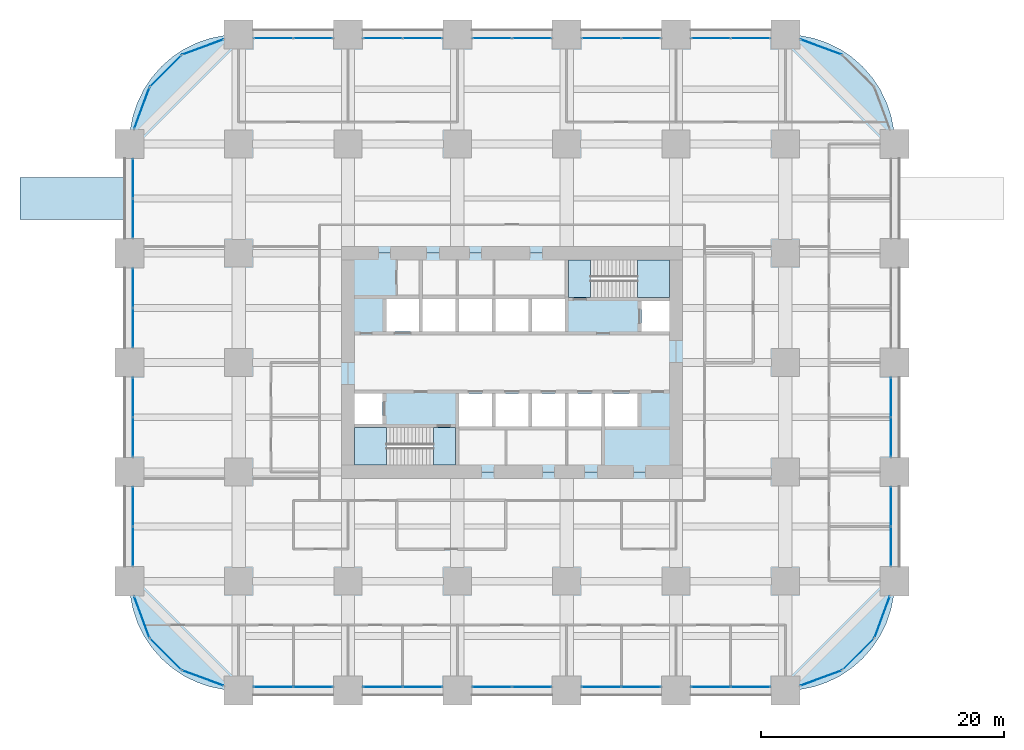
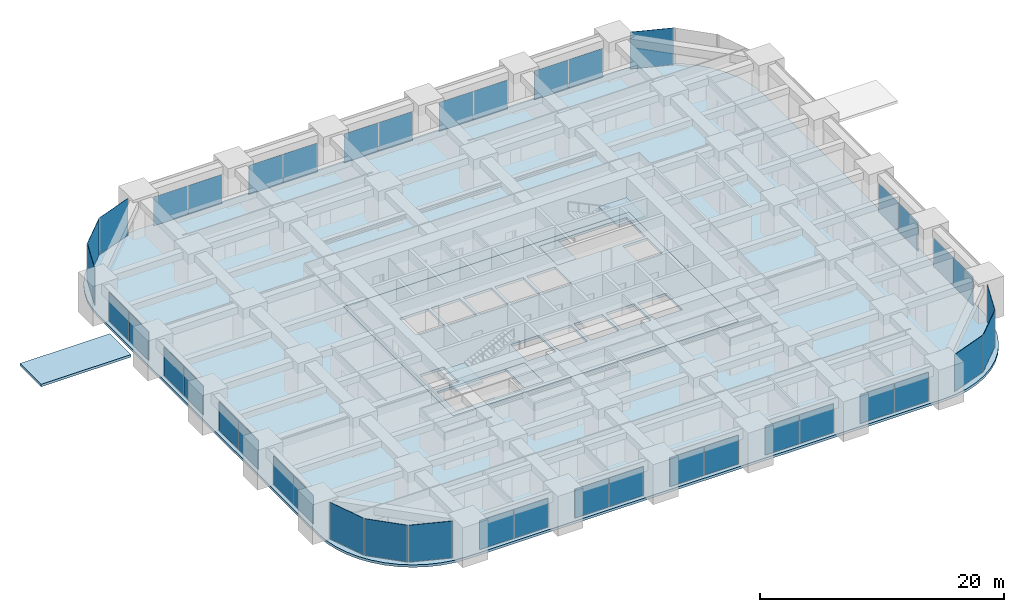
# One storey, part 32 of 39: 42 plates, 7 slabs, 28 elements without a shape of their own.
"""IFC4 building model written with IfcOpenShell, lengths in metres."""

from ifc_helpers import new_model, si_unit, direction, frame, origin, origin_2d, place, context, subcontext, project, spatial, polyline, rectangle, outline, extrude, material, layer, layer_set, type_object, element, aggregate, save


model = new_model("IFC4")

# Units and contexts
model_context = context("Model", 3, precision=1e-05, world=origin(), true_north=direction((0.0, 1.0)))
body_context = subcontext(model_context, "Body", "Model", "MODEL_VIEW")
ifc_project = project(units=[si_unit("LENGTHUNIT", "METRE"), si_unit("AREAUNIT", "SQUARE_METRE"), si_unit("VOLUMEUNIT", "CUBIC_METRE"), si_unit("PLANEANGLEUNIT", "RADIAN"), si_unit("MASSUNIT", "GRAM", prefix="KILO")], contexts=[model_context])

# Site, building, storey
site_placement = place(None, origin())
site = spatial("IfcSite", under=ifc_project, at=site_placement, CompositionType="ELEMENT")
building_placement = place(site_placement, origin())
building = spatial("IfcBuilding", under=site, at=building_placement, Name="Zorevar Civic Tower", CompositionType="ELEMENT")
storey_placement = place(building_placement, frame((0.0, 0.0, 19.800048828125)))
storey = spatial("IfcBuildingStorey", under=building, at=storey_placement, Name="L04", CompositionType="ELEMENT", Elevation=19.800048828125)

# Curtain wall, plates
ifc_material_1 = material(Name="Dark grey solar-control glass in black aluminium frame", Category="aluminium")
curtain_wall_type = type_object("IfcCurtainWallType", Name="Curtain wall CW2 low zone", PredefinedType="NOTDEFINED", material=ifc_material_1)
curtain_wall_1_placement = place(storey_placement, origin())
curtain_wall_1 = element("IfcCurtainWall", 1, at=curtain_wall_1_placement, inside=storey, type_object=curtain_wall_type, Name="CW2 L04", PredefinedType="NOTDEFINED")
ifc_material_2 = material(Name="Dark grey solar-control glass", Category="glass")
ifc_layer_1 = layer(ifc_material_2, 0.031982421875)
ifc_layer_set_1 = layer_set([ifc_layer_1], Name="CW2 panel 32")
plate_type = type_object("IfcPlateType", Name="CW2 panel 32", PredefinedType="CURTAIN_PANEL", material=ifc_layer_set_1)
plate_1_placement = place(storey_placement, frame((11.864990234375, 0.300048828125, 0.06005859375), z_axis=(0.0, 0.0, 1.0), x_axis=(1.0, 0.0, 0.0)))
plate_1 = element("IfcPlate", 2, at=plate_1_placement, type_object=plate_type, Name="CW2 panel 1.1", PredefinedType="CURTAIN_PANEL", context=body_context, shape_type="SweptSolid", body=[
    extrude(rectangle(XDim=3.2099609375, YDim=0.031982421875, at=origin_2d()), origin(), (0.0, 0.0, 1.0), 2.889892578125),
])
plate_2_placement = place(storey_placement, frame((15.135009765625, 0.300048828125, 0.06005859375), z_axis=(0.0, 0.0, 1.0), x_axis=(1.0, 0.0, 0.0)))
plate_2 = element("IfcPlate", 3, at=plate_2_placement, type_object=plate_type, Name="CW2 panel 2.1", PredefinedType="CURTAIN_PANEL", context=body_context, shape_type="SweptSolid", body=[
    extrude(rectangle(XDim=3.2099609375, YDim=0.031982421875, at=origin_2d()), origin(), (0.0, 0.0, 1.0), 2.889892578125),
])
aggregate(curtain_wall_1, [plate_1, plate_2])

curtain_wall_2_placement = place(storey_placement, origin())
curtain_wall_2 = element("IfcCurtainWall", 4, at=curtain_wall_2_placement, inside=storey, type_object=curtain_wall_type, Name="CW2 L04", PredefinedType="NOTDEFINED")
plate_3_placement = place(storey_placement, frame((11.864990234375, 53.699951171875, 0.06005859375), z_axis=(0.0, 0.0, 1.0), x_axis=(1.0, 0.0, 0.0)))
plate_3 = element("IfcPlate", 5, at=plate_3_placement, type_object=plate_type, Name="CW2 panel 1.1", PredefinedType="CURTAIN_PANEL", context=body_context, shape_type="SweptSolid", body=[
    extrude(rectangle(XDim=3.2099609375, YDim=0.031982421875, at=origin_2d()), origin(), (0.0, 0.0, 1.0), 2.889892578125),
])
plate_4_placement = place(storey_placement, frame((15.135009765625, 53.699951171875, 0.06005859375), z_axis=(0.0, 0.0, 1.0), x_axis=(1.0, 0.0, 0.0)))
plate_4 = element("IfcPlate", 6, at=plate_4_placement, type_object=plate_type, Name="CW2 panel 2.1", PredefinedType="CURTAIN_PANEL", context=body_context, shape_type="SweptSolid", body=[
    extrude(rectangle(XDim=3.2099609375, YDim=0.031982421875, at=origin_2d()), origin(), (0.0, 0.0, 1.0), 2.889892578125),
])
aggregate(curtain_wall_2, [plate_3, plate_4])

curtain_wall_3_placement = place(storey_placement, origin())
curtain_wall_3 = element("IfcCurtainWall", 7, at=curtain_wall_3_placement, inside=storey, type_object=curtain_wall_type, Name="CW2 L04", PredefinedType="NOTDEFINED")
plate_5_placement = place(storey_placement, frame((20.864990234375, 0.300048828125, 0.06005859375), z_axis=(0.0, 0.0, 1.0), x_axis=(1.0, 0.0, 0.0)))
plate_5 = element("IfcPlate", 8, at=plate_5_placement, type_object=plate_type, Name="CW2 panel 1.1", PredefinedType="CURTAIN_PANEL", context=body_context, shape_type="SweptSolid", body=[
    extrude(rectangle(XDim=3.2099609375, YDim=0.031982421875, at=origin_2d()), origin(), (0.0, 0.0, 1.0), 2.889892578125),
])
plate_6_placement = place(storey_placement, frame((24.135009765625, 0.300048828125, 0.06005859375), z_axis=(0.0, 0.0, 1.0), x_axis=(1.0, 0.0, 0.0)))
plate_6 = element("IfcPlate", 9, at=plate_6_placement, type_object=plate_type, Name="CW2 panel 2.1", PredefinedType="CURTAIN_PANEL", context=body_context, shape_type="SweptSolid", body=[
    extrude(rectangle(XDim=3.2099609375, YDim=0.031982421875, at=origin_2d()), origin(), (0.0, 0.0, 1.0), 2.889892578125),
])
aggregate(curtain_wall_3, [plate_5, plate_6])

curtain_wall_4_placement = place(storey_placement, origin())
curtain_wall_4 = element("IfcCurtainWall", 10, at=curtain_wall_4_placement, inside=storey, type_object=curtain_wall_type, Name="CW2 L04", PredefinedType="NOTDEFINED")
plate_7_placement = place(storey_placement, frame((20.864990234375, 53.699951171875, 0.06005859375), z_axis=(0.0, 0.0, 1.0), x_axis=(1.0, 0.0, 0.0)))
plate_7 = element("IfcPlate", 11, at=plate_7_placement, type_object=plate_type, Name="CW2 panel 1.1", PredefinedType="CURTAIN_PANEL", context=body_context, shape_type="SweptSolid", body=[
    extrude(rectangle(XDim=3.2099609375, YDim=0.031982421875, at=origin_2d()), origin(), (0.0, 0.0, 1.0), 2.889892578125),
])
plate_8_placement = place(storey_placement, frame((24.135009765625, 53.699951171875, 0.06005859375), z_axis=(0.0, 0.0, 1.0), x_axis=(1.0, 0.0, 0.0)))
plate_8 = element("IfcPlate", 12, at=plate_8_placement, type_object=plate_type, Name="CW2 panel 2.1", PredefinedType="CURTAIN_PANEL", context=body_context, shape_type="SweptSolid", body=[
    extrude(rectangle(XDim=3.2099609375, YDim=0.031982421875, at=origin_2d()), origin(), (0.0, 0.0, 1.0), 2.889892578125),
])
aggregate(curtain_wall_4, [plate_7, plate_8])

curtain_wall_5_placement = place(storey_placement, origin())
curtain_wall_5 = element("IfcCurtainWall", 13, at=curtain_wall_5_placement, inside=storey, type_object=curtain_wall_type, Name="CW2 L04", PredefinedType="NOTDEFINED")
plate_9_placement = place(storey_placement, frame((29.864990234375, 0.300048828125, 0.06005859375), z_axis=(0.0, 0.0, 1.0), x_axis=(1.0, 0.0, 0.0)))
plate_9 = element("IfcPlate", 14, at=plate_9_placement, type_object=plate_type, Name="CW2 panel 1.1", PredefinedType="CURTAIN_PANEL", context=body_context, shape_type="SweptSolid", body=[
    extrude(rectangle(XDim=3.2099609375, YDim=0.031982421875, at=origin_2d()), origin(), (0.0, 0.0, 1.0), 2.889892578125),
])
plate_10_placement = place(storey_placement, frame((33.135009765625, 0.300048828125, 0.06005859375), z_axis=(0.0, 0.0, 1.0), x_axis=(1.0, 0.0, 0.0)))
plate_10 = element("IfcPlate", 15, at=plate_10_placement, type_object=plate_type, Name="CW2 panel 2.1", PredefinedType="CURTAIN_PANEL", context=body_context, shape_type="SweptSolid", body=[
    extrude(rectangle(XDim=3.2099609375, YDim=0.031982421875, at=origin_2d()), origin(), (0.0, 0.0, 1.0), 2.889892578125),
])
aggregate(curtain_wall_5, [plate_9, plate_10])

curtain_wall_6_placement = place(storey_placement, origin())
curtain_wall_6 = element("IfcCurtainWall", 16, at=curtain_wall_6_placement, inside=storey, type_object=curtain_wall_type, Name="CW2 L04", PredefinedType="NOTDEFINED")
plate_11_placement = place(storey_placement, frame((29.864990234375, 53.699951171875, 0.06005859375), z_axis=(0.0, 0.0, 1.0), x_axis=(1.0, 0.0, 0.0)))
plate_11 = element("IfcPlate", 17, at=plate_11_placement, type_object=plate_type, Name="CW2 panel 1.1", PredefinedType="CURTAIN_PANEL", context=body_context, shape_type="SweptSolid", body=[
    extrude(rectangle(XDim=3.2099609375, YDim=0.031982421875, at=origin_2d()), origin(), (0.0, 0.0, 1.0), 2.889892578125),
])
plate_12_placement = place(storey_placement, frame((33.135009765625, 53.699951171875, 0.06005859375), z_axis=(0.0, 0.0, 1.0), x_axis=(1.0, 0.0, 0.0)))
plate_12 = element("IfcPlate", 18, at=plate_12_placement, type_object=plate_type, Name="CW2 panel 2.1", PredefinedType="CURTAIN_PANEL", context=body_context, shape_type="SweptSolid", body=[
    extrude(rectangle(XDim=3.2099609375, YDim=0.031982421875, at=origin_2d()), origin(), (0.0, 0.0, 1.0), 2.889892578125),
])
aggregate(curtain_wall_6, [plate_11, plate_12])

curtain_wall_7_placement = place(storey_placement, origin())
curtain_wall_7 = element("IfcCurtainWall", 19, at=curtain_wall_7_placement, inside=storey, type_object=curtain_wall_type, Name="CW2 L04", PredefinedType="NOTDEFINED")
plate_13_placement = place(storey_placement, frame((38.864990234375, 0.300048828125, 0.06005859375), z_axis=(0.0, 0.0, 1.0), x_axis=(1.0, 0.0, 0.0)))
plate_13 = element("IfcPlate", 20, at=plate_13_placement, type_object=plate_type, Name="CW2 panel 1.1", PredefinedType="CURTAIN_PANEL", context=body_context, shape_type="SweptSolid", body=[
    extrude(rectangle(XDim=3.2099609375, YDim=0.031982421875, at=origin_2d()), origin(), (0.0, 0.0, 1.0), 2.889892578125),
])
plate_14_placement = place(storey_placement, frame((42.135009765625, 0.300048828125, 0.06005859375), z_axis=(0.0, 0.0, 1.0), x_axis=(1.0, 0.0, 0.0)))
plate_14 = element("IfcPlate", 21, at=plate_14_placement, type_object=plate_type, Name="CW2 panel 2.1", PredefinedType="CURTAIN_PANEL", context=body_context, shape_type="SweptSolid", body=[
    extrude(rectangle(XDim=3.2099609375, YDim=0.031982421875, at=origin_2d()), origin(), (0.0, 0.0, 1.0), 2.889892578125),
])
aggregate(curtain_wall_7, [plate_13, plate_14])

curtain_wall_8_placement = place(storey_placement, origin())
curtain_wall_8 = element("IfcCurtainWall", 22, at=curtain_wall_8_placement, inside=storey, type_object=curtain_wall_type, Name="CW2 L04", PredefinedType="NOTDEFINED")
plate_15_placement = place(storey_placement, frame((38.864990234375, 53.699951171875, 0.06005859375), z_axis=(0.0, 0.0, 1.0), x_axis=(1.0, 0.0, 0.0)))
plate_15 = element("IfcPlate", 23, at=plate_15_placement, type_object=plate_type, Name="CW2 panel 1.1", PredefinedType="CURTAIN_PANEL", context=body_context, shape_type="SweptSolid", body=[
    extrude(rectangle(XDim=3.2099609375, YDim=0.031982421875, at=origin_2d()), origin(), (0.0, 0.0, 1.0), 2.889892578125),
])
plate_16_placement = place(storey_placement, frame((42.135009765625, 53.699951171875, 0.06005859375), z_axis=(0.0, 0.0, 1.0), x_axis=(1.0, 0.0, 0.0)))
plate_16 = element("IfcPlate", 24, at=plate_16_placement, type_object=plate_type, Name="CW2 panel 2.1", PredefinedType="CURTAIN_PANEL", context=body_context, shape_type="SweptSolid", body=[
    extrude(rectangle(XDim=3.2099609375, YDim=0.031982421875, at=origin_2d()), origin(), (0.0, 0.0, 1.0), 2.889892578125),
])
aggregate(curtain_wall_8, [plate_15, plate_16])

curtain_wall_9_placement = place(storey_placement, origin())
curtain_wall_9 = element("IfcCurtainWall", 25, at=curtain_wall_9_placement, inside=storey, type_object=curtain_wall_type, Name="CW2 L04", PredefinedType="NOTDEFINED")
plate_17_placement = place(storey_placement, frame((47.864990234375, 0.300048828125, 0.06005859375), z_axis=(0.0, 0.0, 1.0), x_axis=(1.0, 0.0, 0.0)))
plate_17 = element("IfcPlate", 26, at=plate_17_placement, type_object=plate_type, Name="CW2 panel 1.1", PredefinedType="CURTAIN_PANEL", context=body_context, shape_type="SweptSolid", body=[
    extrude(rectangle(XDim=3.2099609375, YDim=0.031982421875, at=origin_2d()), origin(), (0.0, 0.0, 1.0), 2.889892578125),
])
plate_18_placement = place(storey_placement, frame((51.135009765625, 0.300048828125, 0.06005859375), z_axis=(0.0, 0.0, 1.0), x_axis=(1.0, 0.0, 0.0)))
plate_18 = element("IfcPlate", 27, at=plate_18_placement, type_object=plate_type, Name="CW2 panel 2.1", PredefinedType="CURTAIN_PANEL", context=body_context, shape_type="SweptSolid", body=[
    extrude(rectangle(XDim=3.2099609375, YDim=0.031982421875, at=origin_2d()), origin(), (0.0, 0.0, 1.0), 2.889892578125),
])
aggregate(curtain_wall_9, [plate_17, plate_18])

curtain_wall_10_placement = place(storey_placement, origin())
curtain_wall_10 = element("IfcCurtainWall", 28, at=curtain_wall_10_placement, inside=storey, type_object=curtain_wall_type, Name="CW2 L04", PredefinedType="NOTDEFINED")
plate_19_placement = place(storey_placement, frame((47.864990234375, 53.699951171875, 0.06005859375), z_axis=(0.0, 0.0, 1.0), x_axis=(1.0, 0.0, 0.0)))
plate_19 = element("IfcPlate", 29, at=plate_19_placement, type_object=plate_type, Name="CW2 panel 1.1", PredefinedType="CURTAIN_PANEL", context=body_context, shape_type="SweptSolid", body=[
    extrude(rectangle(XDim=3.2099609375, YDim=0.031982421875, at=origin_2d()), origin(), (0.0, 0.0, 1.0), 2.889892578125),
])
plate_20_placement = place(storey_placement, frame((51.135009765625, 53.699951171875, 0.06005859375), z_axis=(0.0, 0.0, 1.0), x_axis=(1.0, 0.0, 0.0)))
plate_20 = element("IfcPlate", 30, at=plate_20_placement, type_object=plate_type, Name="CW2 panel 2.1", PredefinedType="CURTAIN_PANEL", context=body_context, shape_type="SweptSolid", body=[
    extrude(rectangle(XDim=3.2099609375, YDim=0.031982421875, at=origin_2d()), origin(), (0.0, 0.0, 1.0), 2.889892578125),
])
aggregate(curtain_wall_10, [plate_19, plate_20])

curtain_wall_11_placement = place(storey_placement, origin())
curtain_wall_11 = element("IfcCurtainWall", 31, at=curtain_wall_11_placement, inside=storey, type_object=curtain_wall_type, Name="CW2 L04", PredefinedType="NOTDEFINED")
plate_21_placement = place(storey_placement, frame((0.300048828125, 11.864990234375, 0.06005859375), z_axis=(0.0, 0.0, 1.0), x_axis=(0.0, 1.0, 0.0)))
plate_21 = element("IfcPlate", 32, at=plate_21_placement, type_object=plate_type, Name="CW2 panel 1.1", PredefinedType="CURTAIN_PANEL", context=body_context, shape_type="SweptSolid", body=[
    extrude(rectangle(XDim=3.2099609375, YDim=0.031982421875, at=origin_2d()), origin(), (0.0, 0.0, 1.0), 2.889892578125),
])
plate_22_placement = place(storey_placement, frame((0.300048828125, 15.135009765625, 0.06005859375), z_axis=(0.0, 0.0, 1.0), x_axis=(0.0, 1.0, 0.0)))
plate_22 = element("IfcPlate", 33, at=plate_22_placement, type_object=plate_type, Name="CW2 panel 2.1", PredefinedType="CURTAIN_PANEL", context=body_context, shape_type="SweptSolid", body=[
    extrude(rectangle(XDim=3.2099609375, YDim=0.031982421875, at=origin_2d()), origin(), (0.0, 0.0, 1.0), 2.889892578125),
])
aggregate(curtain_wall_11, [plate_21, plate_22])

curtain_wall_12_placement = place(storey_placement, origin())
curtain_wall_12 = element("IfcCurtainWall", 34, at=curtain_wall_12_placement, inside=storey, type_object=curtain_wall_type, Name="CW2 L04", PredefinedType="NOTDEFINED")
plate_23_placement = place(storey_placement, frame((62.699951171875, 11.864990234375, 0.06005859375), z_axis=(0.0, 0.0, 1.0), x_axis=(0.0, 1.0, 0.0)))
plate_23 = element("IfcPlate", 35, at=plate_23_placement, type_object=plate_type, Name="CW2 panel 1.1", PredefinedType="CURTAIN_PANEL", context=body_context, shape_type="SweptSolid", body=[
    extrude(rectangle(XDim=3.2099609375, YDim=0.031982421875, at=origin_2d()), origin(), (0.0, 0.0, 1.0), 2.889892578125),
])
plate_24_placement = place(storey_placement, frame((62.699951171875, 15.135009765625, 0.06005859375), z_axis=(0.0, 0.0, 1.0), x_axis=(0.0, 1.0, 0.0)))
plate_24 = element("IfcPlate", 36, at=plate_24_placement, type_object=plate_type, Name="CW2 panel 2.1", PredefinedType="CURTAIN_PANEL", context=body_context, shape_type="SweptSolid", body=[
    extrude(rectangle(XDim=3.2099609375, YDim=0.031982421875, at=origin_2d()), origin(), (0.0, 0.0, 1.0), 2.889892578125),
])
aggregate(curtain_wall_12, [plate_23, plate_24])

curtain_wall_13_placement = place(storey_placement, origin())
curtain_wall_13 = element("IfcCurtainWall", 37, at=curtain_wall_13_placement, inside=storey, type_object=curtain_wall_type, Name="CW2 L04", PredefinedType="NOTDEFINED")
plate_25_placement = place(storey_placement, frame((0.300048828125, 20.864990234375, 0.06005859375), z_axis=(0.0, 0.0, 1.0), x_axis=(0.0, 1.0, 0.0)))
plate_25 = element("IfcPlate", 38, at=plate_25_placement, type_object=plate_type, Name="CW2 panel 1.1", PredefinedType="CURTAIN_PANEL", context=body_context, shape_type="SweptSolid", body=[
    extrude(rectangle(XDim=3.2099609375, YDim=0.031982421875, at=origin_2d()), origin(), (0.0, 0.0, 1.0), 2.889892578125),
])
plate_26_placement = place(storey_placement, frame((0.300048828125, 24.135009765625, 0.06005859375), z_axis=(0.0, 0.0, 1.0), x_axis=(0.0, 1.0, 0.0)))
plate_26 = element("IfcPlate", 39, at=plate_26_placement, type_object=plate_type, Name="CW2 panel 2.1", PredefinedType="CURTAIN_PANEL", context=body_context, shape_type="SweptSolid", body=[
    extrude(rectangle(XDim=3.2099609375, YDim=0.031982421875, at=origin_2d()), origin(), (0.0, 0.0, 1.0), 2.889892578125),
])
aggregate(curtain_wall_13, [plate_25, plate_26])

curtain_wall_14_placement = place(storey_placement, origin())
curtain_wall_14 = element("IfcCurtainWall", 40, at=curtain_wall_14_placement, inside=storey, type_object=curtain_wall_type, Name="CW2 L04", PredefinedType="NOTDEFINED")
plate_27_placement = place(storey_placement, frame((62.699951171875, 20.864990234375, 0.06005859375), z_axis=(0.0, 0.0, 1.0), x_axis=(0.0, 1.0, 0.0)))
plate_27 = element("IfcPlate", 41, at=plate_27_placement, type_object=plate_type, Name="CW2 panel 1.1", PredefinedType="CURTAIN_PANEL", context=body_context, shape_type="SweptSolid", body=[
    extrude(rectangle(XDim=3.2099609375, YDim=0.031982421875, at=origin_2d()), origin(), (0.0, 0.0, 1.0), 2.889892578125),
])
plate_28_placement = place(storey_placement, frame((62.699951171875, 24.135009765625, 0.06005859375), z_axis=(0.0, 0.0, 1.0), x_axis=(0.0, 1.0, 0.0)))
plate_28 = element("IfcPlate", 42, at=plate_28_placement, type_object=plate_type, Name="CW2 panel 2.1", PredefinedType="CURTAIN_PANEL", context=body_context, shape_type="SweptSolid", body=[
    extrude(rectangle(XDim=3.2099609375, YDim=0.031982421875, at=origin_2d()), origin(), (0.0, 0.0, 1.0), 2.889892578125),
])
aggregate(curtain_wall_14, [plate_27, plate_28])

curtain_wall_15_placement = place(storey_placement, origin())
curtain_wall_15 = element("IfcCurtainWall", 43, at=curtain_wall_15_placement, inside=storey, type_object=curtain_wall_type, Name="CW2 L04", PredefinedType="NOTDEFINED")
plate_29_placement = place(storey_placement, frame((0.300048828125, 29.864990234375, 0.06005859375), z_axis=(0.0, 0.0, 1.0), x_axis=(0.0, 1.0, 0.0)))
plate_29 = element("IfcPlate", 44, at=plate_29_placement, type_object=plate_type, Name="CW2 panel 1.1", PredefinedType="CURTAIN_PANEL", context=body_context, shape_type="SweptSolid", body=[
    extrude(rectangle(XDim=3.2099609375, YDim=0.031982421875, at=origin_2d()), origin(), (0.0, 0.0, 1.0), 2.889892578125),
])
plate_30_placement = place(storey_placement, frame((0.300048828125, 33.135009765625, 0.06005859375), z_axis=(0.0, 0.0, 1.0), x_axis=(0.0, 1.0, 0.0)))
plate_30 = element("IfcPlate", 45, at=plate_30_placement, type_object=plate_type, Name="CW2 panel 2.1", PredefinedType="CURTAIN_PANEL", context=body_context, shape_type="SweptSolid", body=[
    extrude(rectangle(XDim=3.2099609375, YDim=0.031982421875, at=origin_2d()), origin(), (0.0, 0.0, 1.0), 2.889892578125),
])
aggregate(curtain_wall_15, [plate_29, plate_30])

curtain_wall_16_placement = place(storey_placement, origin())
curtain_wall_16 = element("IfcCurtainWall", 46, at=curtain_wall_16_placement, inside=storey, type_object=curtain_wall_type, Name="CW2 L04", PredefinedType="NOTDEFINED")
plate_31_placement = place(storey_placement, frame((0.300048828125, 38.864990234375, 0.06005859375), z_axis=(0.0, 0.0, 1.0), x_axis=(0.0, 1.0, 0.0)))
plate_31 = element("IfcPlate", 47, at=plate_31_placement, type_object=plate_type, Name="CW2 panel 1.1", PredefinedType="CURTAIN_PANEL", context=body_context, shape_type="SweptSolid", body=[
    extrude(rectangle(XDim=3.2099609375, YDim=0.031982421875, at=origin_2d()), origin(), (0.0, 0.0, 1.0), 2.889892578125),
])
plate_32_placement = place(storey_placement, frame((0.300048828125, 42.135009765625, 0.06005859375), z_axis=(0.0, 0.0, 1.0), x_axis=(0.0, 1.0, 0.0)))
plate_32 = element("IfcPlate", 48, at=plate_32_placement, type_object=plate_type, Name="CW2 panel 2.1", PredefinedType="CURTAIN_PANEL", context=body_context, shape_type="SweptSolid", body=[
    extrude(rectangle(XDim=3.2099609375, YDim=0.031982421875, at=origin_2d()), origin(), (0.0, 0.0, 1.0), 2.889892578125),
])
aggregate(curtain_wall_16, [plate_31, plate_32])

# Curtain wall, plate
curtain_wall_17_placement = place(storey_placement, origin())
curtain_wall_17 = element("IfcCurtainWall", 49, at=curtain_wall_17_placement, inside=storey, type_object=curtain_wall_type, Name="CW2 L04", PredefinedType="NOTDEFINED")
plate_33_placement = place(storey_placement, frame((56.9462890625, 1.02880859375, 0.06005859375), z_axis=(0.0, 0.0, 1.0), x_axis=(0.937974588163, 0.346704012033, 0.0)))
plate_33 = element("IfcPlate", 50, at=plate_33_placement, type_object=plate_type, Name="CW2 panel 1.1", PredefinedType="CURTAIN_PANEL", context=body_context, shape_type="SweptSolid", body=[
    extrude(rectangle(XDim=3.603759765625, YDim=0.031982421875, at=origin_2d()), origin(), (0.0, 0.0, 1.0), 3.68994140625),
])
aggregate(curtain_wall_17, [plate_33])

curtain_wall_18_placement = place(storey_placement, origin())
curtain_wall_18 = element("IfcCurtainWall", 51, at=curtain_wall_18_placement, inside=storey, type_object=curtain_wall_type, Name="CW2 L04", PredefinedType="NOTDEFINED")
plate_34_placement = place(storey_placement, frame((60.00927734375, 2.99072265625, 0.06005859375), z_axis=(0.0, 0.0, 1.0), x_axis=(0.707106781187, 0.707106781187, 0.0)))
plate_34 = element("IfcPlate", 52, at=plate_34_placement, type_object=plate_type, Name="CW2 panel 1.1", PredefinedType="CURTAIN_PANEL", context=body_context, shape_type="SweptSolid", body=[
    extrude(rectangle(XDim=3.603759765625, YDim=0.031982421875, at=origin_2d()), origin(), (0.0, 0.0, 1.0), 3.68994140625),
])
aggregate(curtain_wall_18, [plate_34])

curtain_wall_19_placement = place(storey_placement, origin())
curtain_wall_19 = element("IfcCurtainWall", 53, at=curtain_wall_19_placement, inside=storey, type_object=curtain_wall_type, Name="CW2 L04", PredefinedType="NOTDEFINED")
plate_35_placement = place(storey_placement, frame((61.97119140625, 6.0537109375, 0.06005859375), z_axis=(0.0, 0.0, 1.0), x_axis=(0.346704012033, 0.937974588163, 0.0)))
plate_35 = element("IfcPlate", 54, at=plate_35_placement, type_object=plate_type, Name="CW2 panel 1.1", PredefinedType="CURTAIN_PANEL", context=body_context, shape_type="SweptSolid", body=[
    extrude(rectangle(XDim=3.603759765625, YDim=0.031982421875, at=origin_2d()), origin(), (0.0, 0.0, 1.0), 3.68994140625),
])
aggregate(curtain_wall_19, [plate_35])

curtain_wall_20_placement = place(storey_placement, origin())
curtain_wall_20 = element("IfcCurtainWall", 55, at=curtain_wall_20_placement, inside=storey, type_object=curtain_wall_type, Name="CW2 L04", PredefinedType="NOTDEFINED")
plate_36_placement = place(storey_placement, frame((56.9462890625, 52.97119140625, 0.06005859375), z_axis=(0.0, 0.0, 1.0), x_axis=(-0.937974588163, 0.346704012033, 0.0)))
plate_36 = element("IfcPlate", 56, at=plate_36_placement, type_object=plate_type, Name="CW2 panel 1.1", PredefinedType="CURTAIN_PANEL", context=body_context, shape_type="SweptSolid", body=[
    extrude(rectangle(XDim=3.603759765625, YDim=0.031982421875, at=origin_2d()), origin(), (0.0, 0.0, 1.0), 3.68994140625),
])
aggregate(curtain_wall_20, [plate_36])

curtain_wall_21_placement = place(storey_placement, origin())
curtain_wall_21 = element("IfcCurtainWall", 57, at=curtain_wall_21_placement, inside=storey, type_object=curtain_wall_type, Name="CW2 L04", PredefinedType="NOTDEFINED")
plate_37_placement = place(storey_placement, frame((6.0537109375, 52.97119140625, 0.06005859375), z_axis=(0.0, 0.0, 1.0), x_axis=(-0.937974588163, -0.346704012033, 0.0)))
plate_37 = element("IfcPlate", 58, at=plate_37_placement, type_object=plate_type, Name="CW2 panel 1.1", PredefinedType="CURTAIN_PANEL", context=body_context, shape_type="SweptSolid", body=[
    extrude(rectangle(XDim=3.603759765625, YDim=0.031982421875, at=origin_2d()), origin(), (0.0, 0.0, 1.0), 3.68994140625),
])
aggregate(curtain_wall_21, [plate_37])

curtain_wall_22_placement = place(storey_placement, origin())
curtain_wall_22 = element("IfcCurtainWall", 59, at=curtain_wall_22_placement, inside=storey, type_object=curtain_wall_type, Name="CW2 L04", PredefinedType="NOTDEFINED")
plate_38_placement = place(storey_placement, frame((2.99072265625, 51.00927734375, 0.06005859375), z_axis=(0.0, 0.0, 1.0), x_axis=(-0.707106781187, -0.707106781187, 0.0)))
plate_38 = element("IfcPlate", 60, at=plate_38_placement, type_object=plate_type, Name="CW2 panel 1.1", PredefinedType="CURTAIN_PANEL", context=body_context, shape_type="SweptSolid", body=[
    extrude(rectangle(XDim=3.603759765625, YDim=0.031982421875, at=origin_2d()), origin(), (0.0, 0.0, 1.0), 3.68994140625),
])
aggregate(curtain_wall_22, [plate_38])

curtain_wall_23_placement = place(storey_placement, origin())
curtain_wall_23 = element("IfcCurtainWall", 61, at=curtain_wall_23_placement, inside=storey, type_object=curtain_wall_type, Name="CW2 L04", PredefinedType="NOTDEFINED")
plate_39_placement = place(storey_placement, frame((1.02880859375, 47.9462890625, 0.06005859375), z_axis=(0.0, 0.0, 1.0), x_axis=(-0.346704012033, -0.937974588163, 0.0)))
plate_39 = element("IfcPlate", 62, at=plate_39_placement, type_object=plate_type, Name="CW2 panel 1.1", PredefinedType="CURTAIN_PANEL", context=body_context, shape_type="SweptSolid", body=[
    extrude(rectangle(XDim=3.603759765625, YDim=0.031982421875, at=origin_2d()), origin(), (0.0, 0.0, 1.0), 3.68994140625),
])
aggregate(curtain_wall_23, [plate_39])

curtain_wall_24_placement = place(storey_placement, origin())
curtain_wall_24 = element("IfcCurtainWall", 63, at=curtain_wall_24_placement, inside=storey, type_object=curtain_wall_type, Name="CW2 L04", PredefinedType="NOTDEFINED")
plate_40_placement = place(storey_placement, frame((1.02880859375, 6.0537109375, 0.06005859375), z_axis=(0.0, 0.0, 1.0), x_axis=(0.346704012033, -0.937974588163, 0.0)))
plate_40 = element("IfcPlate", 64, at=plate_40_placement, type_object=plate_type, Name="CW2 panel 1.1", PredefinedType="CURTAIN_PANEL", context=body_context, shape_type="SweptSolid", body=[
    extrude(rectangle(XDim=3.603759765625, YDim=0.031982421875, at=origin_2d()), origin(), (0.0, 0.0, 1.0), 3.68994140625),
])
aggregate(curtain_wall_24, [plate_40])

curtain_wall_25_placement = place(storey_placement, origin())
curtain_wall_25 = element("IfcCurtainWall", 65, at=curtain_wall_25_placement, inside=storey, type_object=curtain_wall_type, Name="CW2 L04", PredefinedType="NOTDEFINED")
plate_41_placement = place(storey_placement, frame((2.99072265625, 2.99072265625, 0.06005859375), z_axis=(0.0, 0.0, 1.0), x_axis=(0.707106781187, -0.707106781187, 0.0)))
plate_41 = element("IfcPlate", 66, at=plate_41_placement, type_object=plate_type, Name="CW2 panel 1.1", PredefinedType="CURTAIN_PANEL", context=body_context, shape_type="SweptSolid", body=[
    extrude(rectangle(XDim=3.603759765625, YDim=0.031982421875, at=origin_2d()), origin(), (0.0, 0.0, 1.0), 3.68994140625),
])
aggregate(curtain_wall_25, [plate_41])

curtain_wall_26_placement = place(storey_placement, origin())
curtain_wall_26 = element("IfcCurtainWall", 67, at=curtain_wall_26_placement, inside=storey, type_object=curtain_wall_type, Name="CW2 L04", PredefinedType="NOTDEFINED")
plate_42_placement = place(storey_placement, frame((6.0537109375, 1.02880859375, 0.06005859375), z_axis=(0.0, 0.0, 1.0), x_axis=(0.937974588163, -0.346704012033, 0.0)))
plate_42 = element("IfcPlate", 68, at=plate_42_placement, type_object=plate_type, Name="CW2 panel 1.1", PredefinedType="CURTAIN_PANEL", context=body_context, shape_type="SweptSolid", body=[
    extrude(rectangle(XDim=3.603759765625, YDim=0.031982421875, at=origin_2d()), origin(), (0.0, 0.0, 1.0), 3.68994140625),
])
aggregate(curtain_wall_26, [plate_42])

# Slabs
ifc_material_3 = material(Name="Concrete C40/50", Category="concrete")
ifc_layer_2 = layer(ifc_material_3, 0.25)
ifc_layer_set_2 = layer_set([ifc_layer_2], Name="Floor slab 250")
slab_type_1 = type_object("IfcSlabType", Name="Floor slab 250", PredefinedType="FLOOR", material=ifc_layer_set_2)
slab_1_placement = place(storey_placement, frame((0.0, 0.0, -0.25)))
element("IfcSlab", 69, at=slab_1_placement, inside=storey, type_object=slab_type_1, Name="Floor slab L04", PredefinedType="FLOOR", context=body_context, shape_type="SweptSolid", body=[
    extrude(outline(polyline([(54.0, 0.0), (55.1748046875, 0.076904296875), (56.329345703125, 0.306640625), (57.444091796875, 0.68505859375), (58.5, 1.205810546875), (59.478759765625, 1.85986328125), (60.364013671875, 2.635986328125), (61.14013671875, 3.521240234375), (61.794189453125, 4.5), (62.31494140625, 5.555908203125), (62.693359375, 6.670654296875), (62.923095703125, 7.8251953125), (63.0, 9.0), (63.0, 45.0), (62.923095703125, 46.1748046875), (62.693359375, 47.329345703125), (62.31494140625, 48.444091796875), (61.794189453125, 49.5), (61.14013671875, 50.478759765625), (60.364013671875, 51.364013671875), (59.478759765625, 52.14013671875), (58.5, 52.794189453125), (57.444091796875, 53.31494140625), (56.329345703125, 53.693359375), (55.1748046875, 53.923095703125), (54.0, 54.0), (9.0, 54.0), (7.8251953125, 53.923095703125), (6.670654296875, 53.693359375), (5.555908203125, 53.31494140625), (4.5, 52.794189453125), (3.521240234375, 52.14013671875), (2.635986328125, 51.364013671875), (1.85986328125, 50.478759765625), (1.205810546875, 49.5), (0.68505859375, 48.444091796875), (0.306640625, 47.329345703125), (0.076904296875, 46.1748046875), (0.0, 45.0), (0.0, 9.0), (0.076904296875, 7.8251953125), (0.306640625, 6.670654296875), (0.68505859375, 5.555908203125), (1.205810546875, 4.5), (1.85986328125, 3.521240234375), (2.635986328125, 2.635986328125), (3.521240234375, 1.85986328125), (4.5, 1.205810546875), (5.555908203125, 0.68505859375), (6.670654296875, 0.306640625), (7.8251953125, 0.076904296875), (9.0, 0.0), (54.0, 0.0)]), holes=[polyline([(18.0, 18.0), (45.0, 18.0), (45.0, 36.0), (18.0, 36.0), (18.0, 18.0)])]), origin(), (0.0, 0.0, 1.0), 0.25),
])
slab_2_placement = place(storey_placement, frame((0.0, 0.0, -0.25)))
element("IfcSlab", 70, at=slab_2_placement, inside=storey, type_object=slab_type_1, Name="Core floor L04", PredefinedType="FLOOR", context=body_context, shape_type="SweptSolid", body=[
    extrude(outline(polyline([(18.0, 18.0), (45.0, 18.0), (45.0, 36.0), (18.0, 36.0), (18.0, 18.0)]), holes=[polyline([(18.550048828125, 18.550048828125), (26.85009765625, 18.550048828125), (26.85009765625, 21.64990234375), (18.550048828125, 21.64990234375), (18.550048828125, 18.550048828125)]), polyline([(36.14990234375, 32.35009765625), (44.449951171875, 32.35009765625), (44.449951171875, 35.449951171875), (36.14990234375, 35.449951171875), (36.14990234375, 32.35009765625)]), polyline([(18.550048828125, 21.949951171875), (20.85009765625, 21.949951171875), (20.85009765625, 24.449951171875), (18.550048828125, 24.449951171875), (18.550048828125, 21.949951171875)]), polyline([(42.14990234375, 29.550048828125), (44.449951171875, 29.550048828125), (44.449951171875, 32.050048828125), (42.14990234375, 32.050048828125), (42.14990234375, 29.550048828125)]), polyline([(27.14990234375, 21.75), (29.85009765625, 21.75), (29.85009765625, 24.449951171875), (27.14990234375, 24.449951171875), (27.14990234375, 21.75)]), polyline([(33.14990234375, 29.550048828125), (35.85009765625, 29.550048828125), (35.85009765625, 32.25), (33.14990234375, 32.25), (33.14990234375, 29.550048828125)]), polyline([(30.14990234375, 21.75), (32.85009765625, 21.75), (32.85009765625, 24.449951171875), (30.14990234375, 24.449951171875), (30.14990234375, 21.75)]), polyline([(30.14990234375, 29.550048828125), (32.85009765625, 29.550048828125), (32.85009765625, 32.25), (30.14990234375, 32.25), (30.14990234375, 29.550048828125)]), polyline([(33.14990234375, 21.75), (35.85009765625, 21.75), (35.85009765625, 24.449951171875), (33.14990234375, 24.449951171875), (33.14990234375, 21.75)]), polyline([(27.14990234375, 29.550048828125), (29.85009765625, 29.550048828125), (29.85009765625, 32.25), (27.14990234375, 32.25), (27.14990234375, 29.550048828125)]), polyline([(36.14990234375, 21.75), (38.85009765625, 21.75), (38.85009765625, 24.449951171875), (36.14990234375, 24.449951171875), (36.14990234375, 21.75)]), polyline([(24.14990234375, 29.550048828125), (26.85009765625, 29.550048828125), (26.85009765625, 32.25), (24.14990234375, 32.25), (24.14990234375, 29.550048828125)]), polyline([(39.14990234375, 21.75), (41.85009765625, 21.75), (41.85009765625, 24.449951171875), (39.14990234375, 24.449951171875), (39.14990234375, 21.75)]), polyline([(21.14990234375, 29.550048828125), (23.85009765625, 29.550048828125), (23.85009765625, 32.25), (21.14990234375, 32.25), (21.14990234375, 29.550048828125)])]), origin(), (0.0, 0.0, 1.0), 0.25),
])

# Stair, slabs
ifc_material_4 = material(Name="Precast concrete C40/50", Category="concrete")
stair_type = type_object("IfcStairType", Name="Stair ST 28R", PredefinedType="HALF_TURN_STAIR", material=ifc_material_4)
stair_1_placement = place(storey_placement, origin())
stair_1 = element("IfcStair", 71, at=stair_1_placement, inside=storey, type_object=stair_type, Name="Stair ST1 L04", PredefinedType="HALF_TURN_STAIR")
ifc_material_5 = material(Name="Concrete C40/50", Category="concrete")
ifc_layer_3 = layer(ifc_material_5, 0.199951171875)
ifc_layer_set_3 = layer_set([ifc_layer_3], Name="Stair landing 200")
slab_type_2 = type_object("IfcSlabType", Name="Stair landing 200", PredefinedType="LANDING", material=ifc_layer_set_3)
slab_3_placement = place(storey_placement, frame((0.0, 0.0, -0.199951171875)))
slab_3 = element("IfcSlab", 72, at=slab_3_placement, type_object=slab_type_2, Name="ST1 landing 1", PredefinedType="LANDING", context=body_context, shape_type="SweptSolid", body=[
    extrude(outline(polyline([(25.050048828125, 18.550048828125), (26.85009765625, 18.550048828125), (26.85009765625, 21.64990234375), (25.050048828125, 21.64990234375), (25.050048828125, 18.550048828125)])), origin(), (0.0, 0.0, 1.0), 0.199951171875),
])
slab_4_placement = place(storey_placement, frame((0.0, 0.0, 1.800048828125)))
slab_4 = element("IfcSlab", 73, at=slab_4_placement, type_object=slab_type_2, Name="ST1 landing 2", PredefinedType="LANDING", context=body_context, shape_type="SweptSolid", body=[
    extrude(outline(polyline([(18.550048828125, 18.550048828125), (21.14990234375, 18.550048828125), (21.14990234375, 21.64990234375), (18.550048828125, 21.64990234375), (18.550048828125, 18.550048828125)])), origin(), (0.0, 0.0, 1.0), 0.199951171875),
])
aggregate(stair_1, [slab_3, slab_4])

stair_2_placement = place(storey_placement, origin())
stair_2 = element("IfcStair", 74, at=stair_2_placement, inside=storey, type_object=stair_type, Name="Stair ST2 L04", PredefinedType="HALF_TURN_STAIR")
slab_5_placement = place(storey_placement, frame((0.0, 0.0, -0.199951171875)))
slab_5 = element("IfcSlab", 75, at=slab_5_placement, type_object=slab_type_2, Name="ST2 landing 1", PredefinedType="LANDING", context=body_context, shape_type="SweptSolid", body=[
    extrude(outline(polyline([(37.949951171875, 32.35009765625), (36.14990234375, 32.35009765625), (36.14990234375, 35.449951171875), (37.949951171875, 35.449951171875), (37.949951171875, 32.35009765625)])), origin(), (0.0, 0.0, 1.0), 0.199951171875),
])
slab_6_placement = place(storey_placement, frame((0.0, 0.0, 1.800048828125)))
slab_6 = element("IfcSlab", 76, at=slab_6_placement, type_object=slab_type_2, Name="ST2 landing 2", PredefinedType="LANDING", context=body_context, shape_type="SweptSolid", body=[
    extrude(outline(polyline([(44.449951171875, 32.35009765625), (41.85009765625, 32.35009765625), (41.85009765625, 35.449951171875), (44.449951171875, 35.449951171875), (44.449951171875, 32.35009765625)])), origin(), (0.0, 0.0, 1.0), 0.199951171875),
])
aggregate(stair_2, [slab_5, slab_6])

# Slab
ifc_material_6 = material(Name="Concrete C40/50", Category="concrete")
ifc_layer_4 = layer(ifc_material_6, 0.25)
ifc_layer_set_4 = layer_set([ifc_layer_4], Name="Stair roof slab 250")
slab_type_3 = type_object("IfcSlabType", Name="Stair roof slab 250", PredefinedType="ROOF", material=ifc_layer_set_4)
slab_7_placement = place(storey_placement, frame((0.0, 0.0, -0.25)))
element("IfcSlab", 77, at=slab_7_placement, inside=storey, type_object=slab_type_3, Name="Stair PS1 head-house roof", PredefinedType="ROOF", context=body_context, shape_type="SweptSolid", body=[
    extrude(outline(polyline([(-9.0, 38.77490234375), (-0.5, 38.77490234375), (-0.5, 42.22509765625), (-9.0, 42.22509765625), (-9.0, 38.77490234375)])), origin(), (0.0, 0.0, 1.0), 0.25),
])

save(model, "model.ifc")
